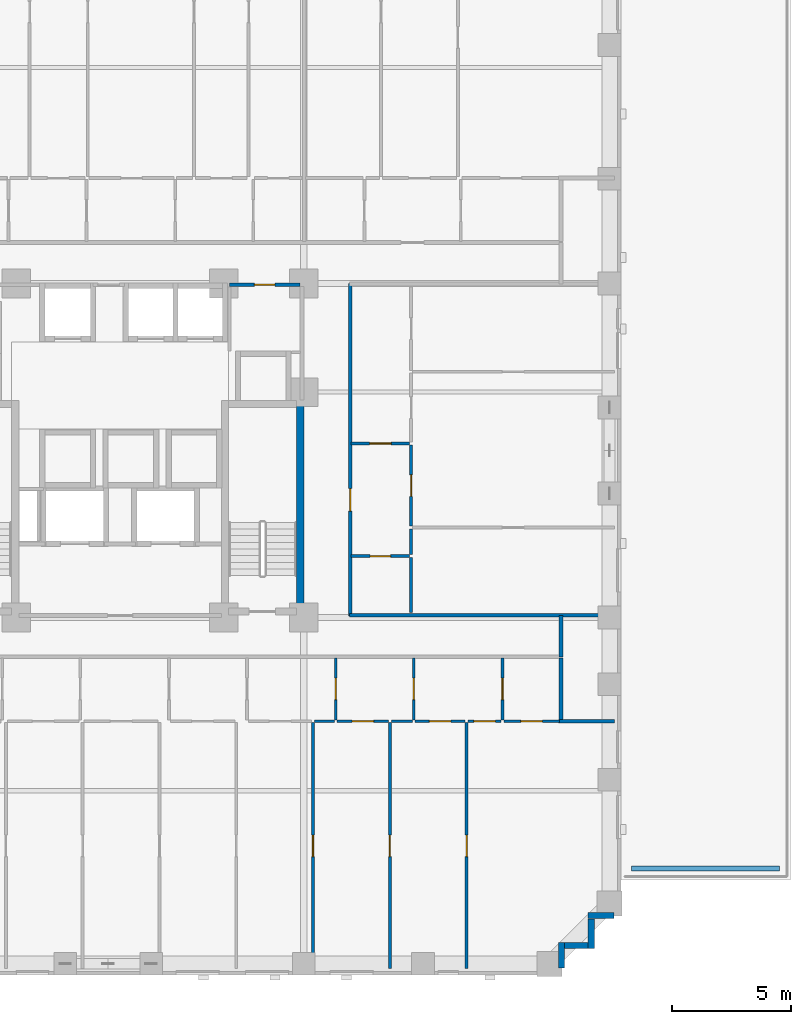
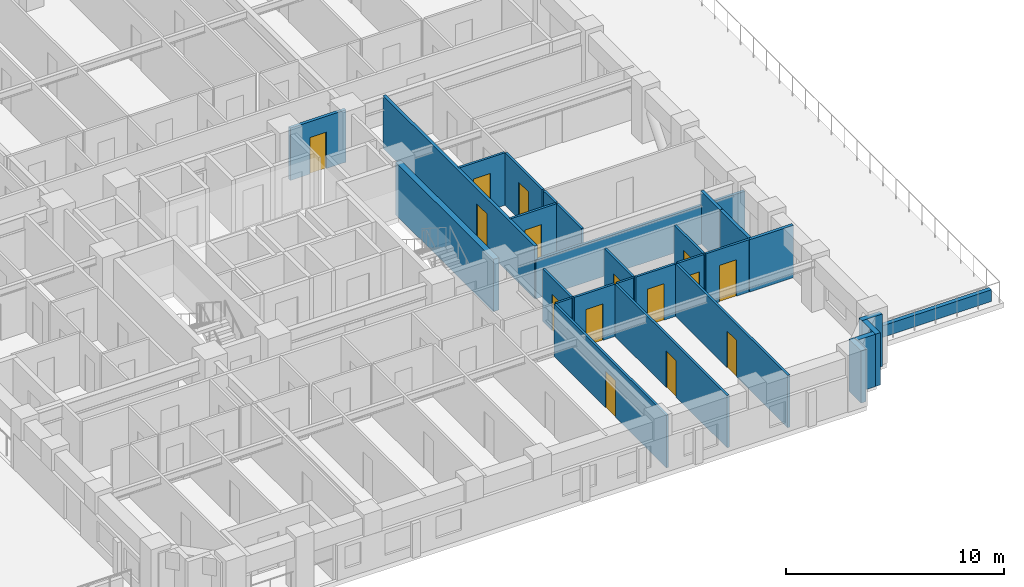
# One storey, part 6 of 14: 29 walls, 15 doors, 15 openings.
"""IFC4 building model written with IfcOpenShell, lengths in metres."""

from ifc_helpers import new_model, si_unit, derived_unit, direction, frame, frame_2d, origin, place, context, subcontext, project, spatial, rectangle, extrude, material, layer, layer_set, type_object, element, fill, save


model = new_model("IFC4")

# Units and contexts
model_context = context("Model", 3, precision=1e-05, world=origin(), true_north=direction((0.0, 1.0)))
body_context = subcontext(model_context, "Body", "Model", "MODEL_VIEW")
ifc_project = project(units=[si_unit("LENGTHUNIT", "METRE"), si_unit("AREAUNIT", "SQUARE_METRE"), si_unit("VOLUMEUNIT", "CUBIC_METRE"), si_unit("PLANEANGLEUNIT", "RADIAN"), si_unit("MASSUNIT", "GRAM", prefix="KILO"), derived_unit("THERMALTRANSMITTANCEUNIT", [(si_unit("MASSUNIT", "GRAM", prefix="KILO"), 1), (si_unit("TIMEUNIT", "SECOND"), -3), (si_unit("THERMODYNAMICTEMPERATUREUNIT", "KELVIN"), -1)])], contexts=[model_context])

# Site, building, storey
site_placement = place(None, origin())
site = spatial("IfcSite", under=ifc_project, at=site_placement, CompositionType="ELEMENT")
building_placement = place(site_placement, origin())
building = spatial("IfcBuilding", under=site, at=building_placement, Name="Korrvale Station Residences", CompositionType="ELEMENT")
storey_placement = place(building_placement, frame((0.0, 0.0, 25.800048828125)))
storey = spatial("IfcBuildingStorey", under=building, at=storey_placement, Name="L05", CompositionType="ELEMENT", Elevation=25.800048828125)

# Walls
ifc_material_1 = material(Name="Concrete C70/85", Category="concrete")
ifc_layer_1 = layer(ifc_material_1, 0.300048828125, Name="Concrete C70/85")
ifc_layer_set_1 = layer_set([ifc_layer_1], Name="Concrete C70/85")
wall_type_1 = type_object("IfcWallType", Name="WAL-CORE-300-C70", PredefinedType="SHEAR", material=ifc_layer_set_1)
wall_1_placement = place(storey_placement, frame((33.050048828125, 15.10009765625, 0.0), z_axis=(0.0, 0.0, 1.0), x_axis=(0.0, 1.0, 0.0)))
element("IfcWall", 1, at=wall_1_placement, inside=storey, type_object=wall_type_1, Name="L05 ST-2 Core Shear Wall East", PredefinedType="SHEAR", context=body_context, shape_type="SweptSolid", body=[
    extrude(rectangle(XDim=9.0, YDim=0.300048828125, at=frame_2d((4.5, 0.0))), origin(), (0.0, 0.0, 1.0), 2.93994140625),
])
ifc_material_2 = material(Name="Precast concrete C45/55", Category="concrete")
ifc_layer_2 = layer(ifc_material_2, 0.260009765625, Name="Precast concrete C45/55")
ifc_layer_set_2 = layer_set([ifc_layer_2], Name="Precast concrete C45/55")
wall_type_2 = type_object("IfcWallType", Name="WAL-EXT-LOG260", PredefinedType="SOLIDWALL", material=ifc_layer_set_2)
wall_2_placement = place(storey_placement, frame((46.197998046875, 2.5, 0.0), z_axis=(0.0, 0.0, 1.0), x_axis=(-1.0, 0.0, 0.0)))
element("IfcWall", 2, at=wall_2_placement, inside=storey, type_object=wall_type_2, Name="L05 Serrated Corner Precast Step SE-1", PredefinedType="SOLIDWALL", context=body_context, shape_type="SweptSolid", body=[
    extrude(rectangle(XDim=1.077880859375, YDim=0.260009765625, at=frame_2d((0.5390625, 0.0))), origin(), (0.0, 0.0, 1.0), 2.93994140625),
])
wall_3_placement = place(storey_placement, frame((45.25, 2.367919921875, 0.0), z_axis=(0.0, 0.0, 1.0), x_axis=(0.0, -1.0, 0.0)))
element("IfcWall", 3, at=wall_3_placement, inside=storey, type_object=wall_type_2, Name="L05 Serrated Corner Precast Step SE-2", PredefinedType="SOLIDWALL", context=body_context, shape_type="SweptSolid", body=[
    extrude(rectangle(XDim=1.247802734375, YDim=0.260009765625, at=frame_2d((0.6240234375, 0.0))), origin(), (0.0, 0.0, 1.0), 2.93994140625),
])
wall_4_placement = place(storey_placement, frame((45.117919921875, 1.25, 0.0), z_axis=(0.0, 0.0, 1.0), x_axis=(-1.0, 0.0, 0.0)))
element("IfcWall", 4, at=wall_4_placement, inside=storey, type_object=wall_type_2, Name="L05 Serrated Corner Precast Step SE-3", PredefinedType="SOLIDWALL", context=body_context, shape_type="SweptSolid", body=[
    extrude(rectangle(XDim=0.98583984375, YDim=0.260009765625, at=frame_2d((0.492919921875, 0.0))), origin(), (0.0, 0.0, 1.0), 2.93994140625),
])
wall_5_placement = place(storey_placement, frame((44.0, 1.3798828125, 0.0), z_axis=(0.0, 0.0, 1.0), x_axis=(0.0, -1.0, 0.0)))
element("IfcWall", 5, at=wall_5_placement, inside=storey, type_object=wall_type_2, Name="L05 Serrated Corner Precast Step SE-4", PredefinedType="SOLIDWALL", context=body_context, shape_type="SweptSolid", body=[
    extrude(rectangle(XDim=1.077880859375, YDim=0.260009765625, at=frame_2d((0.5390625, 0.0))), origin(), (0.0, 0.0, 1.0), 2.93994140625),
])
ifc_layer_3 = layer(ifc_material_2, 0.219970703125, Name="Precast concrete C45/55")
ifc_layer_set_3 = layer_set([ifc_layer_3], Name="Precast concrete C45/55")
wall_type_3 = type_object("IfcWallType", Name="WAL-PAR-220", PredefinedType="PARAPET", material=ifc_layer_set_3)
wall_6_placement = place(storey_placement, frame((46.949951171875, 4.47998046875, 0.0), z_axis=(0.0, 0.0, 1.0), x_axis=(1.0, 0.0, 0.0)))
element("IfcWall", 6, at=wall_6_placement, inside=storey, type_object=wall_type_3, Name="L05 Terrace Planter Parapet TER-L05-E-S", PredefinedType="PARAPET", context=body_context, shape_type="SweptSolid", body=[
    extrude(rectangle(XDim=6.199951171875, YDim=0.219970703125, at=frame_2d((3.10009765625, 0.0))), origin(), (0.0, 0.0, 1.0), 0.64990234375),
])

# Wall, opening, door
ifc_material_3 = material(Name="Acoustic steel-stud gypsum board partition", Category="steel")
ifc_layer_4 = layer(ifc_material_3, 0.1201171875, Name="Acoustic steel-stud gypsum board partition")
ifc_layer_set_4 = layer_set([ifc_layer_4], Name="Acoustic steel-stud gypsum board partition")
wall_type_4 = type_object("IfcWallType", Name="WAL-PART-125", PredefinedType="PARTITIONING", material=ifc_layer_set_4)
wall_7_placement = place(storey_placement, frame((34.5400390625, 10.7099609375, 0.0), z_axis=(0.0, 0.0, 1.0), x_axis=(0.0, 1.0, 0.0)))
wall_7 = element("IfcWall", 7, at=wall_7_placement, inside=storey, type_object=wall_type_4, Name="L05 Suite Partition U01-V67", PredefinedType="PARTITIONING", context=body_context, shape_type="SweptSolid", body=[
    extrude(rectangle(XDim=2.60009765625, YDim=0.1201171875, at=frame_2d((1.300048828125, 0.0))), origin(), (0.0, 0.0, 1.0), 2.93994140625),
])
opening_1_placement = place(wall_7_placement, frame((0.85009765625, 0.0, 0.0)))
opening_1 = element("IfcOpeningElement", 8, at=opening_1_placement, cuts=wall_7, Name="Opening DI-900", PredefinedType="OPENING", context=body_context, shape_type="SweptSolid", body=[
    extrude(rectangle(XDim=0.89990234375, YDim=2.050048828125, at=frame_2d((0.449951171875, 1.02490234375))), frame((0.0, 0.070068359375, 0.0), z_axis=(0.0, -1.0, 0.0), x_axis=(1.0, 0.0, 0.0)), (0.0, 0.0, 1.0), 0.14013671875),
])
ifc_material_4 = material(Name="Painted solid-core timber interior room door", Category="wood")
door_type_1 = type_object("IfcDoorType", Name="DR-INT-900", OperationType="NOTDEFINED", PredefinedType="DOOR", material=ifc_material_4)
door_1_placement = place(opening_1_placement, origin())
door_1 = element("IfcDoor", 9, at=door_1_placement, inside=storey, type_object=door_type_1, Name="L05 Studio Apartment L05-U01 Storage Closet 5 Door", OperationType="SINGLE_SWING_LEFT", OverallHeight=2.050048828125, OverallWidth=0.89990234375, PredefinedType="DOOR", context=body_context, shape_type="SweptSolid", body=[
    extrude(rectangle(XDim=0.89990234375, YDim=2.050048828125, at=frame_2d((0.449951171875, 1.02490234375))), frame((0.0, 0.02490234375, 0.0), z_axis=(0.0, -1.0, 0.0), x_axis=(1.0, 0.0, 0.0)), (0.0, 0.0, 1.0), 0.050048828125),
])
fill(opening_1, door_1)

# Wall
wall_8_placement = place(storey_placement, frame((33.64990234375, 10.64990234375, 0.0), z_axis=(0.0, 0.0, 1.0), x_axis=(1.0, 0.0, 0.0)))
element("IfcWall", 10, at=wall_8_placement, inside=storey, type_object=wall_type_4, Name="L05 Suite Partition U01-H618", PredefinedType="PARTITIONING", context=body_context, shape_type="SweptSolid", body=[
    extrude(rectangle(XDim=0.830078125, YDim=0.1201171875, at=frame_2d((0.4150390625, 0.0))), origin(), (0.0, 0.0, 1.0), 2.93994140625),
])

# Wall, opening, door
wall_9_placement = place(storey_placement, frame((37.81005859375, 10.7099609375, 0.0), z_axis=(0.0, 0.0, 1.0), x_axis=(0.0, 1.0, 0.0)))
wall_9 = element("IfcWall", 11, at=wall_9_placement, inside=storey, type_object=wall_type_4, Name="L05 Suite Partition U01-V78", PredefinedType="PARTITIONING", context=body_context, shape_type="SweptSolid", body=[
    extrude(rectangle(XDim=2.60009765625, YDim=0.1201171875, at=frame_2d((1.300048828125, 0.0))), origin(), (0.0, 0.0, 1.0), 2.93994140625),
])
opening_2_placement = place(wall_9_placement, frame((0.85009765625, 0.0, 0.0)))
opening_2 = element("IfcOpeningElement", 12, at=opening_2_placement, cuts=wall_9, Name="Opening DI-900", PredefinedType="OPENING", context=body_context, shape_type="SweptSolid", body=[
    extrude(rectangle(XDim=0.89990234375, YDim=2.050048828125, at=frame_2d((0.449951171875, 1.02490234375))), frame((0.0, 0.070068359375, 0.0), z_axis=(0.0, -1.0, 0.0), x_axis=(1.0, 0.0, 0.0)), (0.0, 0.0, 1.0), 0.14013671875),
])
door_2_placement = place(opening_2_placement, origin())
door_2 = element("IfcDoor", 13, at=door_2_placement, inside=storey, type_object=door_type_1, Name="L05 Studio Apartment L05-U01 Storage Closet 6 Door", OperationType="SINGLE_SWING_LEFT", OverallHeight=2.050048828125, OverallWidth=0.89990234375, PredefinedType="DOOR", context=body_context, shape_type="SweptSolid", body=[
    extrude(rectangle(XDim=0.89990234375, YDim=2.050048828125, at=frame_2d((0.449951171875, 1.02490234375))), frame((0.0, 0.02490234375, 0.0), z_axis=(0.0, -1.0, 0.0), x_axis=(1.0, 0.0, 0.0)), (0.0, 0.0, 1.0), 0.050048828125),
])
fill(opening_2, door_2)

wall_10_placement = place(storey_placement, frame((34.60009765625, 10.64990234375, 0.0), z_axis=(0.0, 0.0, 1.0), x_axis=(1.0, 0.0, 0.0)))
wall_10 = element("IfcWall", 14, at=wall_10_placement, inside=storey, type_object=wall_type_4, Name="L05 Suite Partition U01-H718", PredefinedType="PARTITIONING", context=body_context, shape_type="SweptSolid", body=[
    extrude(rectangle(XDim=2.14990234375, YDim=0.1201171875, at=frame_2d((1.074951171875, 0.0))), origin(), (0.0, 0.0, 1.0), 2.93994140625),
])
opening_3_placement = place(wall_10_placement, frame((0.625, 0.0, 0.0)))
opening_3 = element("IfcOpeningElement", 15, at=opening_3_placement, cuts=wall_10, Name="Opening DI-900", PredefinedType="OPENING", context=body_context, shape_type="SweptSolid", body=[
    extrude(rectangle(XDim=0.89990234375, YDim=2.050048828125, at=frame_2d((0.449951171875, 1.02490234375))), frame((0.0, 0.070068359375, 0.0), z_axis=(0.0, -1.0, 0.0), x_axis=(1.0, 0.0, 0.0)), (0.0, 0.0, 1.0), 0.14013671875),
])
door_3_placement = place(opening_3_placement, origin())
door_3 = element("IfcDoor", 16, at=door_3_placement, inside=storey, type_object=door_type_1, Name="L05 Studio Apartment L05-U01 Storage Closet 6 Door", OperationType="SINGLE_SWING_RIGHT", OverallHeight=2.050048828125, OverallWidth=0.89990234375, PredefinedType="DOOR", context=body_context, shape_type="SweptSolid", body=[
    extrude(rectangle(XDim=0.89990234375, YDim=2.050048828125, at=frame_2d((0.449951171875, 1.02490234375))), frame((0.0, 0.02490234375, 0.0), z_axis=(0.0, -1.0, 0.0), x_axis=(1.0, 0.0, 0.0)), (0.0, 0.0, 1.0), 0.050048828125),
])
fill(opening_3, door_3)

# Wall
wall_11_placement = place(storey_placement, frame((36.8701171875, 10.64990234375, 0.0), z_axis=(0.0, 0.0, 1.0), x_axis=(1.0, 0.0, 0.0)))
element("IfcWall", 17, at=wall_11_placement, inside=storey, type_object=wall_type_4, Name="L05 Suite Partition U01-H719", PredefinedType="PARTITIONING", context=body_context, shape_type="SweptSolid", body=[
    extrude(rectangle(XDim=0.8798828125, YDim=0.1201171875, at=frame_2d((0.43994140625, 0.0))), origin(), (0.0, 0.0, 1.0), 2.93994140625),
])

# Wall, opening, door
wall_12_placement = place(storey_placement, frame((41.530029296875, 10.7099609375, 0.0), z_axis=(0.0, 0.0, 1.0), x_axis=(0.0, 1.0, 0.0)))
wall_12 = element("IfcWall", 18, at=wall_12_placement, inside=storey, type_object=wall_type_4, Name="L05 Suite Partition U01-V89", PredefinedType="PARTITIONING", context=body_context, shape_type="SweptSolid", body=[
    extrude(rectangle(XDim=2.60009765625, YDim=0.1201171875, at=frame_2d((1.300048828125, 0.0))), origin(), (0.0, 0.0, 1.0), 2.93994140625),
])
opening_4_placement = place(wall_12_placement, frame((0.85009765625, 0.0, 0.0)))
opening_4 = element("IfcOpeningElement", 19, at=opening_4_placement, cuts=wall_12, Name="Opening DI-900", PredefinedType="OPENING", context=body_context, shape_type="SweptSolid", body=[
    extrude(rectangle(XDim=0.89990234375, YDim=2.050048828125, at=frame_2d((0.449951171875, 1.02490234375))), frame((0.0, 0.070068359375, 0.0), z_axis=(0.0, -1.0, 0.0), x_axis=(1.0, 0.0, 0.0)), (0.0, 0.0, 1.0), 0.14013671875),
])
door_4_placement = place(opening_4_placement, origin())
door_4 = element("IfcDoor", 20, at=door_4_placement, inside=storey, type_object=door_type_1, Name="L05 Studio Apartment L05-U01 Storage Closet 7 Door", OperationType="SINGLE_SWING_LEFT", OverallHeight=2.050048828125, OverallWidth=0.89990234375, PredefinedType="DOOR", context=body_context, shape_type="SweptSolid", body=[
    extrude(rectangle(XDim=0.89990234375, YDim=2.050048828125, at=frame_2d((0.449951171875, 1.02490234375))), frame((0.0, 0.02490234375, 0.0), z_axis=(0.0, -1.0, 0.0), x_axis=(1.0, 0.0, 0.0)), (0.0, 0.0, 1.0), 0.050048828125),
])
fill(opening_4, door_4)

wall_13_placement = place(storey_placement, frame((37.8701171875, 10.64990234375, 0.0), z_axis=(0.0, 0.0, 1.0), x_axis=(1.0, 0.0, 0.0)))
wall_13 = element("IfcWall", 21, at=wall_13_placement, inside=storey, type_object=wall_type_4, Name="L05 Suite Partition U01-H819", PredefinedType="PARTITIONING", context=body_context, shape_type="SweptSolid", body=[
    extrude(rectangle(XDim=2.099853515625, YDim=0.1201171875, at=frame_2d((1.0498046875, 0.0))), origin(), (0.0, 0.0, 1.0), 2.93994140625),
])
opening_5_placement = place(wall_13_placement, frame((0.60009765625, 0.0, 0.0)))
opening_5 = element("IfcOpeningElement", 22, at=opening_5_placement, cuts=wall_13, Name="Opening DI-900", PredefinedType="OPENING", context=body_context, shape_type="SweptSolid", body=[
    extrude(rectangle(XDim=0.89990234375, YDim=2.050048828125, at=frame_2d((0.449951171875, 1.02490234375))), frame((0.0, 0.070068359375, 0.0), z_axis=(0.0, -1.0, 0.0), x_axis=(1.0, 0.0, 0.0)), (0.0, 0.0, 1.0), 0.14013671875),
])
door_5_placement = place(opening_5_placement, origin())
door_5 = element("IfcDoor", 23, at=door_5_placement, inside=storey, type_object=door_type_1, Name="L05 Studio Apartment L05-U01 Storage Closet 7 Door", OperationType="SINGLE_SWING_RIGHT", OverallHeight=2.050048828125, OverallWidth=0.89990234375, PredefinedType="DOOR", context=body_context, shape_type="SweptSolid", body=[
    extrude(rectangle(XDim=0.89990234375, YDim=2.050048828125, at=frame_2d((0.449951171875, 1.02490234375))), frame((0.0, 0.02490234375, 0.0), z_axis=(0.0, -1.0, 0.0), x_axis=(1.0, 0.0, 0.0)), (0.0, 0.0, 1.0), 0.050048828125),
])
fill(opening_5, door_5)

wall_14_placement = place(storey_placement, frame((40.090087890625, 10.64990234375, 0.0), z_axis=(0.0, 0.0, 1.0), x_axis=(1.0, 0.0, 0.0)))
wall_14 = element("IfcWall", 24, at=wall_14_placement, inside=storey, type_object=wall_type_4, Name="L05 Suite Partition U01-H820", PredefinedType="PARTITIONING", context=body_context, shape_type="SweptSolid", body=[
    extrude(rectangle(XDim=1.3798828125, YDim=0.1201171875, at=frame_2d((0.68994140625, 0.0))), origin(), (0.0, 0.0, 1.0), 2.93994140625),
])
opening_6_placement = place(wall_14_placement, frame((0.239990234375, 0.0, 0.0)))
opening_6 = element("IfcOpeningElement", 25, at=opening_6_placement, cuts=wall_14, Name="Opening DI-900", PredefinedType="OPENING", context=body_context, shape_type="SweptSolid", body=[
    extrude(rectangle(XDim=0.89990234375, YDim=2.050048828125, at=frame_2d((0.449951171875, 1.02490234375))), frame((0.0, 0.070068359375, 0.0), z_axis=(0.0, -1.0, 0.0), x_axis=(1.0, 0.0, 0.0)), (0.0, 0.0, 1.0), 0.14013671875),
])
door_6_placement = place(opening_6_placement, origin())
door_6 = element("IfcDoor", 26, at=door_6_placement, inside=storey, type_object=door_type_1, Name="L05 Studio Apartment L05-U01 Storage Closet 7 Door", OperationType="SINGLE_SWING_LEFT", OverallHeight=2.050048828125, OverallWidth=0.89990234375, PredefinedType="DOOR", context=body_context, shape_type="SweptSolid", body=[
    extrude(rectangle(XDim=0.89990234375, YDim=2.050048828125, at=frame_2d((0.449951171875, 1.02490234375))), frame((0.0, 0.02490234375, 0.0), z_axis=(0.0, -1.0, 0.0), x_axis=(1.0, 0.0, 0.0)), (0.0, 0.0, 1.0), 0.050048828125),
])
fill(opening_6, door_6)

wall_15_placement = place(storey_placement, frame((41.590087890625, 10.64990234375, 0.0), z_axis=(0.0, 0.0, 1.0), x_axis=(1.0, 0.0, 0.0)))
wall_15 = element("IfcWall", 27, at=wall_15_placement, inside=storey, type_object=wall_type_4, Name="L05 Suite Partition U01-H920", PredefinedType="PARTITIONING", context=body_context, shape_type="SweptSolid", body=[
    extrude(rectangle(XDim=2.329833984375, YDim=0.1201171875, at=frame_2d((1.1650390625, 0.0))), origin(), (0.0, 0.0, 1.0), 2.93994140625),
])
opening_7_placement = place(wall_15_placement, frame((0.715087890625, 0.0, 0.0)))
opening_7 = element("IfcOpeningElement", 28, at=opening_7_placement, cuts=wall_15, Name="Opening DI-900", PredefinedType="OPENING", context=body_context, shape_type="SweptSolid", body=[
    extrude(rectangle(XDim=0.89990234375, YDim=2.050048828125, at=frame_2d((0.449951171875, 1.02490234375))), frame((0.0, 0.070068359375, 0.0), z_axis=(0.0, -1.0, 0.0), x_axis=(1.0, 0.0, 0.0)), (0.0, 0.0, 1.0), 0.14013671875),
])
door_7_placement = place(opening_7_placement, origin())
door_7 = element("IfcDoor", 29, at=door_7_placement, inside=storey, type_object=door_type_1, Name="L05 Studio Apartment L05-U01 Storage Closet 8 Door", OperationType="SINGLE_SWING_RIGHT", OverallHeight=2.050048828125, OverallWidth=0.89990234375, PredefinedType="DOOR", context=body_context, shape_type="SweptSolid", body=[
    extrude(rectangle(XDim=0.89990234375, YDim=2.050048828125, at=frame_2d((0.449951171875, 1.02490234375))), frame((0.0, 0.02490234375, 0.0), z_axis=(0.0, -1.0, 0.0), x_axis=(1.0, 0.0, 0.0)), (0.0, 0.0, 1.0), 0.050048828125),
])
fill(opening_7, door_7)

wall_16_placement = place(storey_placement, frame((33.590087890625, 0.280029296875, 0.0), z_axis=(0.0, 0.0, 1.0), x_axis=(0.0, 1.0, 0.0)))
wall_16 = element("IfcWall", 30, at=wall_16_placement, inside=storey, type_object=wall_type_4, Name="L05 Suite Partition U01-V1718", PredefinedType="PARTITIONING", context=body_context, shape_type="SweptSolid", body=[
    extrude(rectangle(XDim=10.31005859375, YDim=0.1201171875, at=frame_2d((5.155029296875, 0.0))), origin(), (0.0, 0.0, 1.0), 2.93994140625),
])
opening_8_placement = place(wall_16_placement, frame((4.68994140625, 0.0, 0.0)))
opening_8 = element("IfcOpeningElement", 31, at=opening_8_placement, cuts=wall_16, Name="Opening DI-900", PredefinedType="OPENING", context=body_context, shape_type="SweptSolid", body=[
    extrude(rectangle(XDim=0.89990234375, YDim=2.050048828125, at=frame_2d((0.449951171875, 1.02490234375))), frame((0.0, 0.070068359375, 0.0), z_axis=(0.0, -1.0, 0.0), x_axis=(1.0, 0.0, 0.0)), (0.0, 0.0, 1.0), 0.14013671875),
])
door_8_placement = place(opening_8_placement, origin())
door_8 = element("IfcDoor", 32, at=door_8_placement, inside=storey, type_object=door_type_1, Name="L05 Studio Apartment L05-U01 Formal Dining Room Door", OperationType="SINGLE_SWING_RIGHT", OverallHeight=2.050048828125, OverallWidth=0.89990234375, PredefinedType="DOOR", context=body_context, shape_type="SweptSolid", body=[
    extrude(rectangle(XDim=0.89990234375, YDim=2.050048828125, at=frame_2d((0.449951171875, 1.02490234375))), frame((0.0, 0.02490234375, 0.0), z_axis=(0.0, -1.0, 0.0), x_axis=(1.0, 0.0, 0.0)), (0.0, 0.0, 1.0), 0.050048828125),
])
fill(opening_8, door_8)

wall_17_placement = place(storey_placement, frame((36.81005859375, 0.280029296875, 0.0), z_axis=(0.0, 0.0, 1.0), x_axis=(0.0, 1.0, 0.0)))
wall_17 = element("IfcWall", 33, at=wall_17_placement, inside=storey, type_object=wall_type_4, Name="L05 Suite Partition U01-V1819", PredefinedType="PARTITIONING", context=body_context, shape_type="SweptSolid", body=[
    extrude(rectangle(XDim=10.31005859375, YDim=0.1201171875, at=frame_2d((5.155029296875, 0.0))), origin(), (0.0, 0.0, 1.0), 2.93994140625),
])
opening_9_placement = place(wall_17_placement, frame((4.68994140625, 0.0, 0.0)))
opening_9 = element("IfcOpeningElement", 34, at=opening_9_placement, cuts=wall_17, Name="Opening DI-900", PredefinedType="OPENING", context=body_context, shape_type="SweptSolid", body=[
    extrude(rectangle(XDim=0.89990234375, YDim=2.050048828125, at=frame_2d((0.449951171875, 1.02490234375))), frame((0.0, 0.070068359375, 0.0), z_axis=(0.0, -1.0, 0.0), x_axis=(1.0, 0.0, 0.0)), (0.0, 0.0, 1.0), 0.14013671875),
])
door_9_placement = place(opening_9_placement, origin())
door_9 = element("IfcDoor", 35, at=door_9_placement, inside=storey, type_object=door_type_1, Name="L05 Studio Apartment L05-U01 Formal Dining Room Door", OperationType="SINGLE_SWING_LEFT", OverallHeight=2.050048828125, OverallWidth=0.89990234375, PredefinedType="DOOR", context=body_context, shape_type="SweptSolid", body=[
    extrude(rectangle(XDim=0.89990234375, YDim=2.050048828125, at=frame_2d((0.449951171875, 1.02490234375))), frame((0.0, 0.02490234375, 0.0), z_axis=(0.0, -1.0, 0.0), x_axis=(1.0, 0.0, 0.0)), (0.0, 0.0, 1.0), 0.050048828125),
])
fill(opening_9, door_9)

wall_18_placement = place(storey_placement, frame((40.030029296875, 0.280029296875, 0.0), z_axis=(0.0, 0.0, 1.0), x_axis=(0.0, 1.0, 0.0)))
wall_18 = element("IfcWall", 36, at=wall_18_placement, inside=storey, type_object=wall_type_4, Name="L05 Suite Partition U01-V1920", PredefinedType="PARTITIONING", context=body_context, shape_type="SweptSolid", body=[
    extrude(rectangle(XDim=10.31005859375, YDim=0.1201171875, at=frame_2d((5.155029296875, 0.0))), origin(), (0.0, 0.0, 1.0), 2.93994140625),
])
opening_10_placement = place(wall_18_placement, frame((4.68994140625, 0.0, 0.0)))
opening_10 = element("IfcOpeningElement", 37, at=opening_10_placement, cuts=wall_18, Name="Opening DI-900", PredefinedType="OPENING", context=body_context, shape_type="SweptSolid", body=[
    extrude(rectangle(XDim=0.89990234375, YDim=2.050048828125, at=frame_2d((0.449951171875, 1.02490234375))), frame((0.0, 0.070068359375, 0.0), z_axis=(0.0, -1.0, 0.0), x_axis=(1.0, 0.0, 0.0)), (0.0, 0.0, 1.0), 0.14013671875),
])
door_10_placement = place(opening_10_placement, origin())
door_10 = element("IfcDoor", 38, at=door_10_placement, inside=storey, type_object=door_type_1, Name="L05 Studio Apartment L05-U01 Formal Dining Room Door", OperationType="SINGLE_SWING_RIGHT", OverallHeight=2.050048828125, OverallWidth=0.89990234375, PredefinedType="DOOR", context=body_context, shape_type="SweptSolid", body=[
    extrude(rectangle(XDim=0.89990234375, YDim=2.050048828125, at=frame_2d((0.449951171875, 1.02490234375))), frame((0.0, 0.02490234375, 0.0), z_axis=(0.0, -1.0, 0.0), x_axis=(1.0, 0.0, 0.0)), (0.0, 0.0, 1.0), 0.050048828125),
])
fill(opening_10, door_10)

wall_19_placement = place(storey_placement, frame((35.18994140625, 22.2900390625, 0.0), z_axis=(0.0, 0.0, 1.0), x_axis=(1.0, 0.0, 0.0)))
wall_19 = element("IfcWall", 39, at=wall_19_placement, inside=storey, type_object=wall_type_4, Name="L05 Suite Partition U05-H02", PredefinedType="PARTITIONING", context=body_context, shape_type="SweptSolid", body=[
    extrude(rectangle(XDim=2.449951171875, YDim=0.1201171875, at=frame_2d((1.22509765625, 0.0))), origin(), (0.0, 0.0, 1.0), 2.93994140625),
])
opening_11_placement = place(wall_19_placement, frame((0.77490234375, 0.0, 0.0)))
opening_11 = element("IfcOpeningElement", 40, at=opening_11_placement, cuts=wall_19, Name="Opening DI-900", PredefinedType="OPENING", context=body_context, shape_type="SweptSolid", body=[
    extrude(rectangle(XDim=0.89990234375, YDim=2.050048828125, at=frame_2d((0.449951171875, 1.02490234375))), frame((0.0, 0.070068359375, 0.0), z_axis=(0.0, -1.0, 0.0), x_axis=(1.0, 0.0, 0.0)), (0.0, 0.0, 1.0), 0.14013671875),
])
door_11_placement = place(opening_11_placement, origin())
door_11 = element("IfcDoor", 41, at=door_11_placement, inside=storey, type_object=door_type_1, Name="L05 Apartment 2BR L05-U05 Wardrobe Storage Room Door", OperationType="SINGLE_SWING_LEFT", OverallHeight=2.050048828125, OverallWidth=0.89990234375, PredefinedType="DOOR", context=body_context, shape_type="SweptSolid", body=[
    extrude(rectangle(XDim=0.89990234375, YDim=2.050048828125, at=frame_2d((0.449951171875, 1.02490234375))), frame((0.0, 0.02490234375, 0.0), z_axis=(0.0, -1.0, 0.0), x_axis=(1.0, 0.0, 0.0)), (0.0, 0.0, 1.0), 0.050048828125),
])
fill(opening_11, door_11)

wall_20_placement = place(storey_placement, frame((35.18994140625, 17.570068359375, 0.0), z_axis=(0.0, 0.0, 1.0), x_axis=(1.0, 0.0, 0.0)))
wall_20 = element("IfcWall", 42, at=wall_20_placement, inside=storey, type_object=wall_type_4, Name="L05 Suite Partition U05-H12", PredefinedType="PARTITIONING", context=body_context, shape_type="SweptSolid", body=[
    extrude(rectangle(XDim=2.449951171875, YDim=0.1201171875, at=frame_2d((1.22509765625, 0.0))), origin(), (0.0, 0.0, 1.0), 2.93994140625),
])
opening_12_placement = place(wall_20_placement, frame((0.794921875, 0.0, 0.0)))
opening_12 = element("IfcOpeningElement", 43, at=opening_12_placement, cuts=wall_20, Name="Opening DB-860", PredefinedType="OPENING", context=body_context, shape_type="SweptSolid", body=[
    extrude(rectangle(XDim=0.860107421875, YDim=2.050048828125, at=frame_2d((0.43017578125, 1.02490234375))), frame((0.0, 0.070068359375, 0.0), z_axis=(0.0, -1.0, 0.0), x_axis=(1.0, 0.0, 0.0)), (0.0, 0.0, 1.0), 0.14013671875),
])
ifc_material_5 = material(Name="Moisture-resistant solid-core bathroom door", Category="timber")
door_type_2 = type_object("IfcDoorType", Name="DR-BATH-860", OperationType="NOTDEFINED", PredefinedType="DOOR", material=ifc_material_5)
door_12_placement = place(opening_12_placement, origin())
door_12 = element("IfcDoor", 44, at=door_12_placement, inside=storey, type_object=door_type_2, Name="L05 Apartment 2BR L05-U05 Bathroom Door", OperationType="SINGLE_SWING_RIGHT", OverallHeight=2.050048828125, OverallWidth=0.860107421875, PredefinedType="DOOR", context=body_context, shape_type="SweptSolid", body=[
    extrude(rectangle(XDim=0.860107421875, YDim=2.050048828125, at=frame_2d((0.43017578125, 1.02490234375))), frame((0.0, 0.02490234375, 0.0), z_axis=(0.0, -1.0, 0.0), x_axis=(1.0, 0.0, 0.0)), (0.0, 0.0, 1.0), 0.050048828125),
])
fill(opening_12, door_12)

# Walls
wall_21_placement = place(storey_placement, frame((37.699951171875, 15.2099609375, 0.0), z_axis=(0.0, 0.0, 1.0), x_axis=(0.0, 1.0, 0.0)))
element("IfcWall", 45, at=wall_21_placement, inside=storey, type_object=wall_type_4, Name="L05 Suite Partition U05-V13", PredefinedType="PARTITIONING", context=body_context, shape_type="SweptSolid", body=[
    extrude(rectangle(XDim=2.300048828125, YDim=0.1201171875, at=frame_2d((1.14990234375, 0.0))), origin(), (0.0, 0.0, 1.0), 2.93994140625),
])
wall_22_placement = place(storey_placement, frame((37.699951171875, 17.6298828125, 0.0), z_axis=(0.0, 0.0, 1.0), x_axis=(0.0, 1.0, 0.0)))
element("IfcWall", 46, at=wall_22_placement, inside=storey, type_object=wall_type_4, Name="L05 Suite Partition U05-V23", PredefinedType="PARTITIONING", context=body_context, shape_type="SweptSolid", body=[
    extrude(rectangle(XDim=1.0791015625, YDim=0.1201171875, at=frame_2d((0.53955078125, 0.0))), origin(), (0.0, 0.0, 1.0), 2.93994140625),
])

# Wall, opening, door
wall_23_placement = place(storey_placement, frame((37.699951171875, 18.8291015625, 0.0), z_axis=(0.0, 0.0, 1.0), x_axis=(0.0, 1.0, 0.0)))
wall_23 = element("IfcWall", 47, at=wall_23_placement, inside=storey, type_object=wall_type_4, Name="L05 Suite Partition U05-V24", PredefinedType="PARTITIONING", context=body_context, shape_type="SweptSolid", body=[
    extrude(rectangle(XDim=3.40087890625, YDim=0.1201171875, at=frame_2d((1.700439453125, 0.0))), origin(), (0.0, 0.0, 1.0), 2.93994140625),
])
opening_13_placement = place(wall_23_placement, frame((1.25, 0.0, 0.0)))
opening_13 = element("IfcOpeningElement", 48, at=opening_13_placement, cuts=wall_23, Name="Opening DI-900", PredefinedType="OPENING", context=body_context, shape_type="SweptSolid", body=[
    extrude(rectangle(XDim=0.89990234375, YDim=2.050048828125, at=frame_2d((0.449951171875, 1.02490234375))), frame((0.0, 0.070068359375, 0.0), z_axis=(0.0, -1.0, 0.0), x_axis=(1.0, 0.0, 0.0)), (0.0, 0.0, 1.0), 0.14013671875),
])
door_13_placement = place(opening_13_placement, origin())
door_13 = element("IfcDoor", 49, at=door_13_placement, inside=storey, type_object=door_type_1, Name="L05 Apartment 2BR L05-U05 Kitchen Door", OperationType="SINGLE_SWING_LEFT", OverallHeight=2.050048828125, OverallWidth=0.89990234375, PredefinedType="DOOR", context=body_context, shape_type="SweptSolid", body=[
    extrude(rectangle(XDim=0.89990234375, YDim=2.050048828125, at=frame_2d((0.449951171875, 1.02490234375))), frame((0.0, 0.02490234375, 0.0), z_axis=(0.0, -1.0, 0.0), x_axis=(1.0, 0.0, 0.0)), (0.0, 0.0, 1.0), 0.050048828125),
])
fill(opening_13, door_13)

ifc_material_6 = material(Name="Fire-rated twin-stud gypsum and mineral wool shaftwall assembly", Category="gypsum")
ifc_layer_5 = layer(ifc_material_6, 0.159912109375, Name="Fire-rated twin-stud gypsum and mineral wool shaftwall assembly")
ifc_layer_set_5 = layer_set([ifc_layer_5], Name="Fire-rated twin-stud gypsum and mineral wool shaftwall assembly")
wall_type_5 = type_object("IfcWallType", Name="WAL-PART-200", PredefinedType="PARTITIONING", material=ifc_layer_set_5)
wall_24_placement = place(storey_placement, frame((30.080078125, 28.949951171875, 0.0), z_axis=(0.0, 0.0, 1.0), x_axis=(1.0, 0.0, 0.0)))
wall_24 = element("IfcWall", 50, at=wall_24_placement, inside=storey, type_object=wall_type_5, Name="L05 Core Partition CW-CS-N", PredefinedType="PARTITIONING", context=body_context, shape_type="SweptSolid", body=[
    extrude(rectangle(XDim=2.9599609375, YDim=0.159912109375, at=frame_2d((1.47998046875, 0.0))), origin(), (0.0, 0.0, 1.0), 2.93994140625),
])
opening_14_placement = place(wall_24_placement, frame((1.044921875, 0.0, 0.0)))
opening_14 = element("IfcOpeningElement", 51, at=opening_14_placement, cuts=wall_24, Name="Opening DB-860", PredefinedType="OPENING", context=body_context, shape_type="SweptSolid", body=[
    extrude(rectangle(XDim=0.860107421875, YDim=2.050048828125, at=frame_2d((0.43017578125, 1.02490234375))), frame((0.0, 0.08984375, 0.0), z_axis=(0.0, -1.0, 0.0), x_axis=(1.0, 0.0, 0.0)), (0.0, 0.0, 1.0), 0.179931640625),
])
door_14_placement = place(opening_14_placement, origin())
door_14 = element("IfcDoor", 52, at=door_14_placement, inside=storey, type_object=door_type_2, Name="L05 Parcel Room Door", OperationType="SINGLE_SWING_RIGHT", OverallHeight=2.050048828125, OverallWidth=0.860107421875, PredefinedType="DOOR", context=body_context, shape_type="SweptSolid", body=[
    extrude(rectangle(XDim=0.860107421875, YDim=2.050048828125, at=frame_2d((0.43017578125, 1.02490234375))), frame((0.0, 0.02490234375, 0.0), z_axis=(0.0, -1.0, 0.0), x_axis=(1.0, 0.0, 0.0)), (0.0, 0.0, 1.0), 0.050048828125),
])
fill(opening_14, door_14)

# Walls
wall_25_placement = place(storey_placement, frame((43.97998046875, 13.35009765625, 0.0), z_axis=(0.0, 0.0, 1.0), x_axis=(0.0, 1.0, 0.0)))
element("IfcWall", 53, at=wall_25_placement, inside=storey, type_object=wall_type_5, Name="L05 Corridor South East Cap", PredefinedType="PARTITIONING", context=body_context, shape_type="SweptSolid", body=[
    extrude(rectangle(XDim=1.739990234375, YDim=0.159912109375, at=frame_2d((0.8701171875, 0.0))), origin(), (0.0, 0.0, 1.0), 2.93994140625),
])
wall_26_placement = place(storey_placement, frame((35.110107421875, 15.090087890625, 0.0), z_axis=(0.0, 0.0, 1.0), x_axis=(1.0, 0.0, 0.0)))
element("IfcWall", 54, at=wall_26_placement, inside=storey, type_object=wall_type_5, Name="L05 East Wing South Corridor Wall", PredefinedType="PARTITIONING", context=body_context, shape_type="SweptSolid", body=[
    extrude(rectangle(XDim=11.10986328125, YDim=0.159912109375, at=frame_2d((5.554931640625, 0.0))), origin(), (0.0, 0.0, 1.0), 2.155029296875),
])
wall_27_placement = place(storey_placement, frame((43.8798828125, 10.64990234375, 0.0), z_axis=(0.0, 0.0, 1.0), x_axis=(1.0, 0.0, 0.0)))
element("IfcWall", 55, at=wall_27_placement, inside=storey, type_object=wall_type_5, Name="L05 Corner Step Wall U01-R", PredefinedType="PARTITIONING", context=body_context, shape_type="SweptSolid", body=[
    extrude(rectangle(XDim=2.340087890625, YDim=0.159912109375, at=frame_2d((1.169921875, 0.0))), origin(), (0.0, 0.0, 1.0), 2.93994140625),
])
wall_28_placement = place(storey_placement, frame((43.97998046875, 10.64990234375, 0.0), z_axis=(0.0, 0.0, 1.0), x_axis=(0.0, 1.0, 0.0)))
element("IfcWall", 56, at=wall_28_placement, inside=storey, type_object=wall_type_5, Name="L05 Corner Step Cheek U01-R", PredefinedType="PARTITIONING", context=body_context, shape_type="SweptSolid", body=[
    extrude(rectangle(XDim=2.66015625, YDim=0.159912109375, at=frame_2d((1.330078125, 0.0))), origin(), (0.0, 0.0, 1.0), 2.93994140625),
])

# Wall, opening, door
wall_29_placement = place(storey_placement, frame((35.14990234375, 15.070068359375, 0.0), z_axis=(0.0, 0.0, 1.0), x_axis=(0.0, 1.0, 0.0)))
wall_29 = element("IfcWall", 57, at=wall_29_placement, inside=storey, type_object=wall_type_5, Name="L05 Rated Corridor Wall E", PredefinedType="PARTITIONING", context=body_context, shape_type="SweptSolid", body=[
    extrude(rectangle(XDim=13.929931640625, YDim=0.159912109375, at=frame_2d((6.96484375, 0.0))), origin(), (0.0, 0.0, 1.0), 2.93994140625),
])
opening_15_placement = place(wall_29_placement, frame((4.385009765625, 0.0, 0.0)))
opening_15 = element("IfcOpeningElement", 58, at=opening_15_placement, cuts=wall_29, Name="Opening UD-950", PredefinedType="OPENING", context=body_context, shape_type="SweptSolid", body=[
    extrude(rectangle(XDim=0.949951171875, YDim=2.10009765625, at=frame_2d((0.47509765625, 1.050048828125))), frame((0.0, 0.08984375, 0.0), z_axis=(0.0, -1.0, 0.0), x_axis=(1.0, 0.0, 0.0)), (0.0, 0.0, 1.0), 0.179931640625),
])
ifc_material_7 = material(Name="Solid-core acoustic oak apartment entrance door", Category="timber")
door_type_3 = type_object("IfcDoorType", Name="DR-UNIT-950", OperationType="NOTDEFINED", PredefinedType="DOOR", material=ifc_material_7)
door_15_placement = place(opening_15_placement, origin())
door_15 = element("IfcDoor", 59, at=door_15_placement, inside=storey, type_object=door_type_3, Name="L05 Apartment L05-U05 Entrance Door", OperationType="SINGLE_SWING_RIGHT", OverallHeight=2.10009765625, OverallWidth=0.949951171875, PredefinedType="DOOR", context=body_context, shape_type="SweptSolid", body=[
    extrude(rectangle(XDim=0.949951171875, YDim=2.10009765625, at=frame_2d((0.47509765625, 1.050048828125))), frame((0.0, 0.02490234375, 0.0), z_axis=(0.0, -1.0, 0.0), x_axis=(1.0, 0.0, 0.0)), (0.0, 0.0, 1.0), 0.050048828125),
])
fill(opening_15, door_15)

save(model, "model.ifc")
